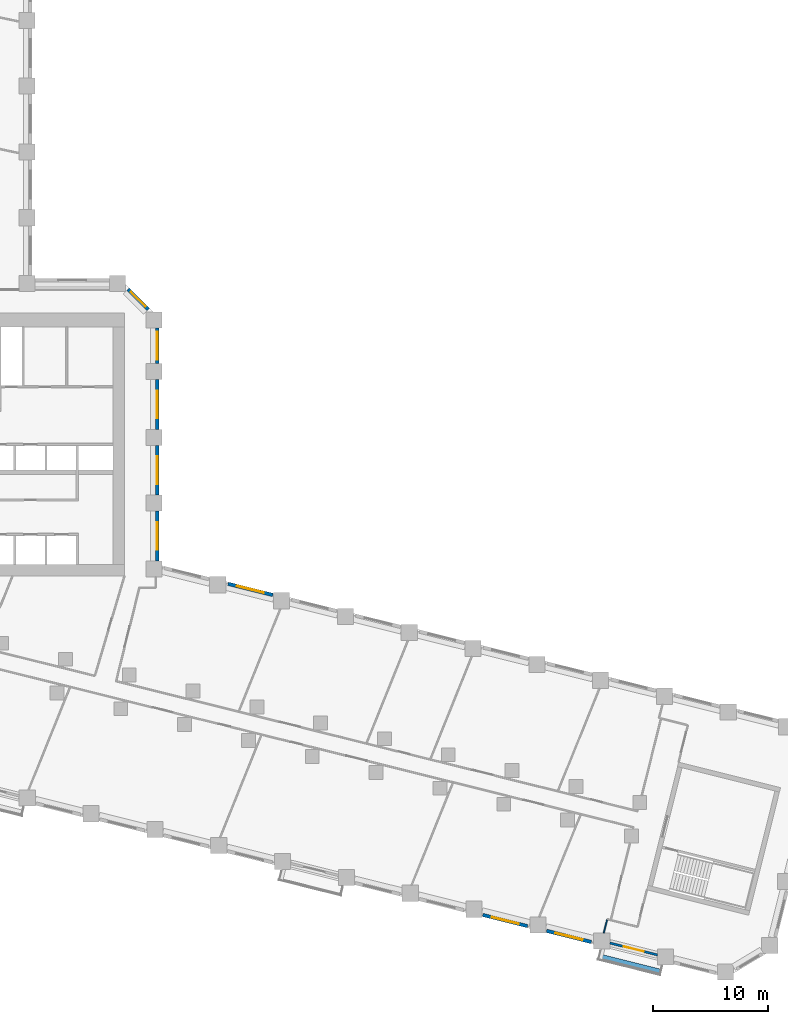
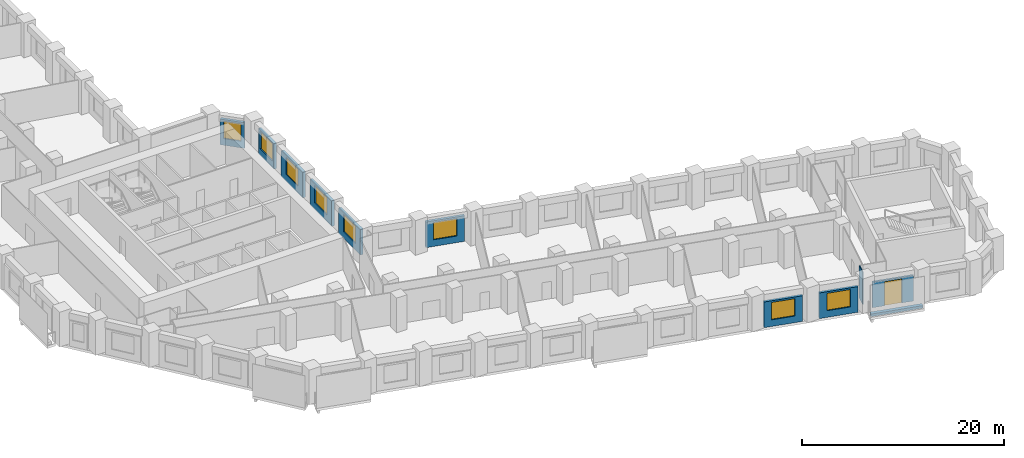
# One storey, part 6 of 11: 11 walls, 8 windows, 1 door, 9 openings.
"""IFC4 building model written with IfcOpenShell, lengths in metres."""

from ifc_helpers import new_model, si_unit, direction, frame, frame_2d, origin, place, context, subcontext, project, spatial, rectangle, extrude, material, layer, layer_set, type_object, element, fill, save


model = new_model("IFC4")

# Units and contexts
model_context = context("Model", 3, precision=1e-05, world=origin(), true_north=direction((0.0, 1.0)))
body_context = subcontext(model_context, "Body", "Model", "MODEL_VIEW")
ifc_project = project(units=[si_unit("LENGTHUNIT", "METRE"), si_unit("AREAUNIT", "SQUARE_METRE"), si_unit("VOLUMEUNIT", "CUBIC_METRE"), si_unit("PLANEANGLEUNIT", "RADIAN"), si_unit("MASSUNIT", "GRAM", prefix="KILO")], contexts=[model_context])

# Site, building, storey
site_placement = place(None, origin())
site = spatial("IfcSite", under=ifc_project, at=site_placement, CompositionType="ELEMENT")
building_placement = place(site_placement, origin())
building = spatial("IfcBuilding", under=site, at=building_placement, Name="Meshkara Civic Tower", CompositionType="ELEMENT")
storey_placement = place(building_placement, frame((0.0, 0.0, 41.39990234375)))
storey = spatial("IfcBuildingStorey", under=building, at=storey_placement, Name="L08", CompositionType="ELEMENT", Elevation=41.39990234375)

# Wall, opening, window
ifc_material_1 = material(Name="Insulated infill panel with bronze anodised aluminium cladding", Category="aluminium")
ifc_layer_1 = layer(ifc_material_1, 0.300048828125)
ifc_layer_set_1 = layer_set([ifc_layer_1], Name="EXTERNAL INFILL WALL 300")
wall_type_1 = type_object("IfcWallType", Name="EXTERNAL INFILL WALL 300", PredefinedType="SOLIDWALL", material=ifc_layer_set_1)
wall_1_placement = place(storey_placement, frame((43.659912109375, 12.4580078125, 0.0), z_axis=(0.0, 0.0, 1.0), x_axis=(-0.970300202301, 0.241903942538, 0.0)))
wall_1 = element("IfcWall", 1, at=wall_1_placement, inside=storey, type_object=wall_type_1, Name="External wall", PredefinedType="SOLIDWALL", context=body_context, shape_type="SweptSolid", body=[
    extrude(rectangle(XDim=4.001708984375, YDim=0.300048828125, at=frame_2d((2.0009765625, 0.0))), origin(), (0.0, 0.0, 1.0), 3.10009765625),
])
opening_1_placement = place(wall_1_placement, frame((0.801025390625, 0.0, 0.800048828125)))
opening_1 = element("IfcOpeningElement", 2, at=opening_1_placement, cuts=wall_1, Name="Opening W7", PredefinedType="OPENING", context=body_context, shape_type="SweptSolid", body=[
    extrude(rectangle(XDim=2.39990234375, YDim=2.10009765625, at=frame_2d((1.199951171875, 1.050048828125))), frame((0.0, 0.159912109375, 0.0), z_axis=(0.0, -1.0, 0.0), x_axis=(1.0, 0.0, 0.0)), (0.0, 0.0, 1.0), 0.320068359375),
])
ifc_material_2 = material(Name="Tinted double glazing", Category="glass")
window_type_1 = type_object("IfcWindowType", Name="WINDOW 2400x2100", PartitioningType="DOUBLE_PANEL_VERTICAL", PredefinedType="WINDOW", material=ifc_material_2)
window_1_placement = place(opening_1_placement, origin())
window_1 = element("IfcWindow", 3, at=window_1_placement, inside=storey, type_object=window_type_1, Name="Window", OverallHeight=2.10009765625, OverallWidth=2.39990234375, PartitioningType="DOUBLE_PANEL_VERTICAL", PredefinedType="WINDOW", context=body_context, shape_type="SweptSolid", body=[
    extrude(rectangle(XDim=2.39990234375, YDim=2.10009765625, at=frame_2d((1.199951171875, 1.050048828125))), frame((0.0, 0.030029296875, 0.0), z_axis=(0.0, -1.0, 0.0), x_axis=(1.0, 0.0, 0.0)), (0.0, 0.0, 1.0), 0.06005859375),
])
fill(opening_1, window_1)

wall_2_placement = place(storey_placement, frame((33.64990234375, 15.4189453125, 0.0), z_axis=(0.0, 0.0, 1.0), x_axis=(0.0, 1.0, 0.0)))
wall_2 = element("IfcWall", 4, at=wall_2_placement, inside=storey, type_object=wall_type_1, Name="External wall", PredefinedType="SOLIDWALL", context=body_context, shape_type="SweptSolid", body=[
    extrude(rectangle(XDim=4.300048828125, YDim=0.300048828125, at=frame_2d((2.14990234375, 0.0))), origin(), (0.0, 0.0, 1.0), 3.10009765625),
])
opening_2_placement = place(wall_2_placement, frame((0.949951171875, 0.0, 0.800048828125)))
opening_2 = element("IfcOpeningElement", 5, at=opening_2_placement, cuts=wall_2, Name="Opening W7", PredefinedType="OPENING", context=body_context, shape_type="SweptSolid", body=[
    extrude(rectangle(XDim=2.39990234375, YDim=2.10009765625, at=frame_2d((1.199951171875, 1.050048828125))), frame((0.0, 0.159912109375, 0.0), z_axis=(0.0, -1.0, 0.0), x_axis=(1.0, 0.0, 0.0)), (0.0, 0.0, 1.0), 0.320068359375),
])
window_2_placement = place(opening_2_placement, origin())
window_2 = element("IfcWindow", 6, at=window_2_placement, inside=storey, type_object=window_type_1, Name="Window", OverallHeight=2.10009765625, OverallWidth=2.39990234375, PartitioningType="DOUBLE_PANEL_VERTICAL", PredefinedType="WINDOW", context=body_context, shape_type="SweptSolid", body=[
    extrude(rectangle(XDim=2.39990234375, YDim=2.10009765625, at=frame_2d((1.199951171875, 1.050048828125))), frame((0.0, 0.030029296875, 0.0), z_axis=(0.0, -1.0, 0.0), x_axis=(1.0, 0.0, 0.0)), (0.0, 0.0, 1.0), 0.06005859375),
])
fill(opening_2, window_2)

wall_3_placement = place(storey_placement, frame((33.64990234375, 21.118896484375, 0.0), z_axis=(0.0, 0.0, 1.0), x_axis=(0.0, 1.0, 0.0)))
wall_3 = element("IfcWall", 7, at=wall_3_placement, inside=storey, type_object=wall_type_1, Name="External wall", PredefinedType="SOLIDWALL", context=body_context, shape_type="SweptSolid", body=[
    extrude(rectangle(XDim=4.300048828125, YDim=0.300048828125, at=frame_2d((2.14990234375, 0.0))), origin(), (0.0, 0.0, 1.0), 3.10009765625),
])
opening_3_placement = place(wall_3_placement, frame((0.949951171875, 0.0, 0.800048828125)))
opening_3 = element("IfcOpeningElement", 8, at=opening_3_placement, cuts=wall_3, Name="Opening W7", PredefinedType="OPENING", context=body_context, shape_type="SweptSolid", body=[
    extrude(rectangle(XDim=2.39990234375, YDim=2.10009765625, at=frame_2d((1.199951171875, 1.050048828125))), frame((0.0, 0.159912109375, 0.0), z_axis=(0.0, -1.0, 0.0), x_axis=(1.0, 0.0, 0.0)), (0.0, 0.0, 1.0), 0.320068359375),
])
window_3_placement = place(opening_3_placement, origin())
window_3 = element("IfcWindow", 9, at=window_3_placement, inside=storey, type_object=window_type_1, Name="Window", OverallHeight=2.10009765625, OverallWidth=2.39990234375, PartitioningType="DOUBLE_PANEL_VERTICAL", PredefinedType="WINDOW", context=body_context, shape_type="SweptSolid", body=[
    extrude(rectangle(XDim=2.39990234375, YDim=2.10009765625, at=frame_2d((1.199951171875, 1.050048828125))), frame((0.0, 0.030029296875, 0.0), z_axis=(0.0, -1.0, 0.0), x_axis=(1.0, 0.0, 0.0)), (0.0, 0.0, 1.0), 0.06005859375),
])
fill(opening_3, window_3)

wall_4_placement = place(storey_placement, frame((33.64990234375, 26.819091796875, 0.0), z_axis=(0.0, 0.0, 1.0), x_axis=(0.0, 1.0, 0.0)))
wall_4 = element("IfcWall", 10, at=wall_4_placement, inside=storey, type_object=wall_type_1, Name="External wall", PredefinedType="SOLIDWALL", context=body_context, shape_type="SweptSolid", body=[
    extrude(rectangle(XDim=4.2998046875, YDim=0.300048828125, at=frame_2d((2.14990234375, 0.0))), origin(), (0.0, 0.0, 1.0), 3.10009765625),
])
opening_4_placement = place(wall_4_placement, frame((0.949951171875, 0.0, 0.800048828125)))
opening_4 = element("IfcOpeningElement", 11, at=opening_4_placement, cuts=wall_4, Name="Opening W7", PredefinedType="OPENING", context=body_context, shape_type="SweptSolid", body=[
    extrude(rectangle(XDim=2.39990234375, YDim=2.10009765625, at=frame_2d((1.199951171875, 1.050048828125))), frame((0.0, 0.159912109375, 0.0), z_axis=(0.0, -1.0, 0.0), x_axis=(1.0, 0.0, 0.0)), (0.0, 0.0, 1.0), 0.320068359375),
])
window_4_placement = place(opening_4_placement, origin())
window_4 = element("IfcWindow", 12, at=window_4_placement, inside=storey, type_object=window_type_1, Name="Window", OverallHeight=2.10009765625, OverallWidth=2.39990234375, PartitioningType="DOUBLE_PANEL_VERTICAL", PredefinedType="WINDOW", context=body_context, shape_type="SweptSolid", body=[
    extrude(rectangle(XDim=2.39990234375, YDim=2.10009765625, at=frame_2d((1.199951171875, 1.050048828125))), frame((0.0, 0.030029296875, 0.0), z_axis=(0.0, -1.0, 0.0), x_axis=(1.0, 0.0, 0.0)), (0.0, 0.0, 1.0), 0.06005859375),
])
fill(opening_4, window_4)

wall_5_placement = place(storey_placement, frame((33.64990234375, 32.51904296875, 0.0), z_axis=(0.0, 0.0, 1.0), x_axis=(0.0, 1.0, 0.0)))
wall_5 = element("IfcWall", 13, at=wall_5_placement, inside=storey, type_object=wall_type_1, Name="External wall", PredefinedType="SOLIDWALL", context=body_context, shape_type="SweptSolid", body=[
    extrude(rectangle(XDim=3.074951171875, YDim=0.300048828125, at=frame_2d((1.53759765625, 0.0))), origin(), (0.0, 0.0, 1.0), 3.10009765625),
])
opening_5_placement = place(wall_5_placement, frame((0.337890625, 0.0, 0.800048828125)))
opening_5 = element("IfcOpeningElement", 14, at=opening_5_placement, cuts=wall_5, Name="Opening W7", PredefinedType="OPENING", context=body_context, shape_type="SweptSolid", body=[
    extrude(rectangle(XDim=2.39990234375, YDim=2.10009765625, at=frame_2d((1.199951171875, 1.050048828125))), frame((0.0, 0.159912109375, 0.0), z_axis=(0.0, -1.0, 0.0), x_axis=(1.0, 0.0, 0.0)), (0.0, 0.0, 1.0), 0.320068359375),
])
window_5_placement = place(opening_5_placement, origin())
window_5 = element("IfcWindow", 15, at=window_5_placement, inside=storey, type_object=window_type_1, Name="Window", OverallHeight=2.10009765625, OverallWidth=2.39990234375, PartitioningType="DOUBLE_PANEL_VERTICAL", PredefinedType="WINDOW", context=body_context, shape_type="SweptSolid", body=[
    extrude(rectangle(XDim=2.39990234375, YDim=2.10009765625, at=frame_2d((1.199951171875, 1.050048828125))), frame((0.0, 0.030029296875, 0.0), z_axis=(0.0, -1.0, 0.0), x_axis=(1.0, 0.0, 0.0)), (0.0, 0.0, 1.0), 0.06005859375),
])
fill(opening_5, window_5)

wall_6_placement = place(storey_placement, frame((32.862060546875, 37.2060546875, 0.0), z_axis=(0.0, 0.0, 1.0), x_axis=(-0.707155935319, 0.707057623637, 0.0)))
wall_6 = element("IfcWall", 16, at=wall_6_placement, inside=storey, type_object=wall_type_1, Name="External wall", PredefinedType="SOLIDWALL", context=body_context, shape_type="SweptSolid", body=[
    extrude(rectangle(XDim=2.4833984375, YDim=0.300048828125, at=frame_2d((1.24169921875, 0.0))), origin(), (0.0, 0.0, 1.0), 3.10009765625),
])
opening_6_placement = place(wall_6_placement, frame((0.342041015625, 0.0, 0.800048828125)))
opening_6 = element("IfcOpeningElement", 17, at=opening_6_placement, cuts=wall_6, Name="Opening W9", PredefinedType="OPENING", context=body_context, shape_type="SweptSolid", body=[
    extrude(rectangle(XDim=1.800048828125, YDim=2.10009765625, at=frame_2d((0.89990234375, 1.050048828125))), frame((0.0, 0.159912109375, 0.0), z_axis=(0.0, -1.0, 0.0), x_axis=(1.0, 0.0, 0.0)), (0.0, 0.0, 1.0), 0.320068359375),
])
ifc_material_3 = material(Name="Tinted double glazing", Category="glass")
window_type_2 = type_object("IfcWindowType", Name="WINDOW 1800x2100", PartitioningType="DOUBLE_PANEL_VERTICAL", PredefinedType="WINDOW", material=ifc_material_3)
window_6_placement = place(opening_6_placement, origin())
window_6 = element("IfcWindow", 18, at=window_6_placement, inside=storey, type_object=window_type_2, Name="Window", OverallHeight=2.10009765625, OverallWidth=1.800048828125, PartitioningType="DOUBLE_PANEL_VERTICAL", PredefinedType="WINDOW", context=body_context, shape_type="SweptSolid", body=[
    extrude(rectangle(XDim=1.800048828125, YDim=2.10009765625, at=frame_2d((0.89990234375, 1.050048828125))), frame((0.0, 0.030029296875, 0.0), z_axis=(0.0, -1.0, 0.0), x_axis=(1.0, 0.0, 0.0)), (0.0, 0.0, 1.0), 0.06005859375),
])
fill(opening_6, window_6)

wall_7_placement = place(storey_placement, frame((61.847900390625, -15.26611328125, 0.0), z_axis=(0.0, 0.0, 1.0), x_axis=(0.970318089187, -0.241832185196, 0.0)))
wall_7 = element("IfcWall", 19, at=wall_7_placement, inside=storey, type_object=wall_type_1, Name="External wall", PredefinedType="SOLIDWALL", context=body_context, shape_type="SweptSolid", body=[
    extrude(rectangle(XDim=4.001953125, YDim=0.300048828125, at=frame_2d((2.0009765625, 0.0))), origin(), (0.0, 0.0, 1.0), 3.10009765625),
])
opening_7_placement = place(wall_7_placement, frame((0.801025390625, 0.0, 0.800048828125)))
opening_7 = element("IfcOpeningElement", 20, at=opening_7_placement, cuts=wall_7, Name="Opening W7", PredefinedType="OPENING", context=body_context, shape_type="SweptSolid", body=[
    extrude(rectangle(XDim=2.39990234375, YDim=2.10009765625, at=frame_2d((1.199951171875, 1.050048828125))), frame((0.0, 0.159912109375, 0.0), z_axis=(0.0, -1.0, 0.0), x_axis=(1.0, 0.0, 0.0)), (0.0, 0.0, 1.0), 0.320068359375),
])
window_7_placement = place(opening_7_placement, origin())
window_7 = element("IfcWindow", 21, at=window_7_placement, inside=storey, type_object=window_type_1, Name="Window", OverallHeight=2.10009765625, OverallWidth=2.39990234375, PartitioningType="DOUBLE_PANEL_VERTICAL", PredefinedType="WINDOW", context=body_context, shape_type="SweptSolid", body=[
    extrude(rectangle(XDim=2.39990234375, YDim=2.10009765625, at=frame_2d((1.199951171875, 1.050048828125))), frame((0.0, 0.030029296875, 0.0), z_axis=(0.0, -1.0, 0.0), x_axis=(1.0, 0.0, 0.0)), (0.0, 0.0, 1.0), 0.06005859375),
])
fill(opening_7, window_7)

wall_8_placement = place(storey_placement, frame((67.3779296875, -16.64404296875, 0.0), z_axis=(0.0, 0.0, 1.0), x_axis=(0.970260773365, -0.242062040951, 0.0)))
wall_8 = element("IfcWall", 22, at=wall_8_placement, inside=storey, type_object=wall_type_1, Name="External wall", PredefinedType="SOLIDWALL", context=body_context, shape_type="SweptSolid", body=[
    extrude(rectangle(XDim=4.003173828125, YDim=0.300048828125, at=frame_2d((2.00146484375, 0.0))), origin(), (0.0, 0.0, 1.0), 3.10009765625),
])
opening_8_placement = place(wall_8_placement, frame((0.802001953125, 0.0, 0.800048828125)))
opening_8 = element("IfcOpeningElement", 23, at=opening_8_placement, cuts=wall_8, Name="Opening W7", PredefinedType="OPENING", context=body_context, shape_type="SweptSolid", body=[
    extrude(rectangle(XDim=2.39990234375, YDim=2.10009765625, at=frame_2d((1.199951171875, 1.050048828125))), frame((0.0, 0.159912109375, 0.0), z_axis=(0.0, -1.0, 0.0), x_axis=(1.0, 0.0, 0.0)), (0.0, 0.0, 1.0), 0.320068359375),
])
window_8_placement = place(opening_8_placement, origin())
window_8 = element("IfcWindow", 24, at=window_8_placement, inside=storey, type_object=window_type_1, Name="Window", OverallHeight=2.10009765625, OverallWidth=2.39990234375, PartitioningType="DOUBLE_PANEL_VERTICAL", PredefinedType="WINDOW", context=body_context, shape_type="SweptSolid", body=[
    extrude(rectangle(XDim=2.39990234375, YDim=2.10009765625, at=frame_2d((1.199951171875, 1.050048828125))), frame((0.0, 0.030029296875, 0.0), z_axis=(0.0, -1.0, 0.0), x_axis=(1.0, 0.0, 0.0)), (0.0, 0.0, 1.0), 0.06005859375),
])
fill(opening_8, window_8)

# Wall, opening, door
ifc_material_4 = material(Name="Insulated infill panel with bronze anodised aluminium cladding", Category="aluminium")
ifc_layer_2 = layer(ifc_material_4, 0.199951171875)
ifc_layer_set_2 = layer_set([ifc_layer_2], Name="LOGGIA BACK WALL 200")
wall_type_2 = type_object("IfcWallType", Name="LOGGIA BACK WALL 200", PredefinedType="SOLIDWALL", material=ifc_layer_set_2)
wall_9_placement = place(storey_placement, frame((72.85791015625, -17.701904296875, 0.0), z_axis=(0.0, 0.0, 1.0), x_axis=(0.970347921137, -0.241712457159, 0.0)))
wall_9 = element("IfcWall", 25, at=wall_9_placement, inside=storey, type_object=wall_type_2, Name="Loggia wall", PredefinedType="SOLIDWALL", context=body_context, shape_type="SweptSolid", body=[
    extrude(rectangle(XDim=4.25732421875, YDim=0.199951171875, at=frame_2d((2.128662109375, 0.0))), origin(), (0.0, 0.0, 1.0), 3.10009765625),
])
opening_9_placement = place(wall_9_placement, frame((1.22802734375, 0.0, 0.0)))
opening_9 = element("IfcOpeningElement", 26, at=opening_9_placement, cuts=wall_9, Name="Opening L08-L006", PredefinedType="OPENING", context=body_context, shape_type="SweptSolid", body=[
    extrude(rectangle(XDim=1.800048828125, YDim=2.89990234375, at=frame_2d((0.89990234375, 1.449951171875))), frame((0.0, 0.10986328125, 0.0), z_axis=(0.0, -1.0, 0.0), x_axis=(1.0, 0.0, 0.0)), (0.0, 0.0, 1.0), 0.219970703125),
])
ifc_material_5 = material(Name="Tinted double glazing", Category="glass")
door_type = type_object("IfcDoorType", Name="LOGGIA DOOR 1800x2900", OperationType="DOUBLE_DOOR_SINGLE_SWING", PredefinedType="DOOR", material=ifc_material_5)
door_placement = place(opening_9_placement, origin())
door = element("IfcDoor", 27, at=door_placement, inside=storey, type_object=door_type, Name="L08-L006", OperationType="DOUBLE_DOOR_SINGLE_SWING", OverallHeight=2.89990234375, OverallWidth=1.800048828125, PredefinedType="DOOR", context=body_context, shape_type="SweptSolid", body=[
    extrude(rectangle(XDim=1.800048828125, YDim=2.89990234375, at=frame_2d((0.89990234375, 1.449951171875))), frame((0.0, 0.02490234375, 0.0), z_axis=(0.0, -1.0, 0.0), x_axis=(1.0, 0.0, 0.0)), (0.0, 0.0, 1.0), 0.050048828125),
])
fill(opening_9, door)

# Walls
ifc_material_6 = material(Name="Concrete C40", Category="concrete")
ifc_layer_3 = layer(ifc_material_6, 0.39990234375)
ifc_layer_set_3 = layer_set([ifc_layer_3], Name="PLANTER TRAY")
wall_type_3 = type_object("IfcWallType", Name="PLANTER TRAY", PredefinedType="SOLIDWALL", material=ifc_layer_set_3)
wall_10_placement = place(storey_placement, frame((72.0009765625, -18.85888671875, 0.0), z_axis=(0.0, 0.0, 1.0), x_axis=(0.970321749462, -0.241817498376, 0.0)))
element("IfcWall", 28, at=wall_10_placement, inside=storey, type_object=wall_type_3, Name="Planter", PredefinedType="SOLIDWALL", context=body_context, shape_type="SweptSolid", body=[
    extrude(rectangle(XDim=5.360107421875, YDim=0.39990234375, at=frame_2d((2.68017578125, 0.0))), origin(), (0.0, 0.0, 1.0), 0.300048828125),
])
ifc_material_7 = material(Name="Partition 100")
ifc_layer_4 = layer(ifc_material_7, 0.10009765625)
ifc_layer_set_4 = layer_set([ifc_layer_4], Name="Partition 100")
wall_type_4 = type_object("IfcWallType", Name="Partition 100", PredefinedType="PARTITIONING", material=ifc_layer_set_4)
wall_11_placement = place(storey_placement, frame((72.3330078125, -16.826904296875, 0.0), z_axis=(0.0, 0.0, 1.0), x_axis=(0.241693721233, 0.97035258804, 0.0)))
element("IfcWall", 29, at=wall_11_placement, inside=storey, type_object=wall_type_4, Name="L08-W055", PredefinedType="PARTITIONING", context=body_context, shape_type="SweptSolid", body=[
    extrude(rectangle(XDim=1.228271484375, YDim=0.10009765625, at=frame_2d((0.6142578125, 0.0))), origin(), (0.0, 0.0, 1.0), 3.900146484375),
])

save(model, "model.ifc")
